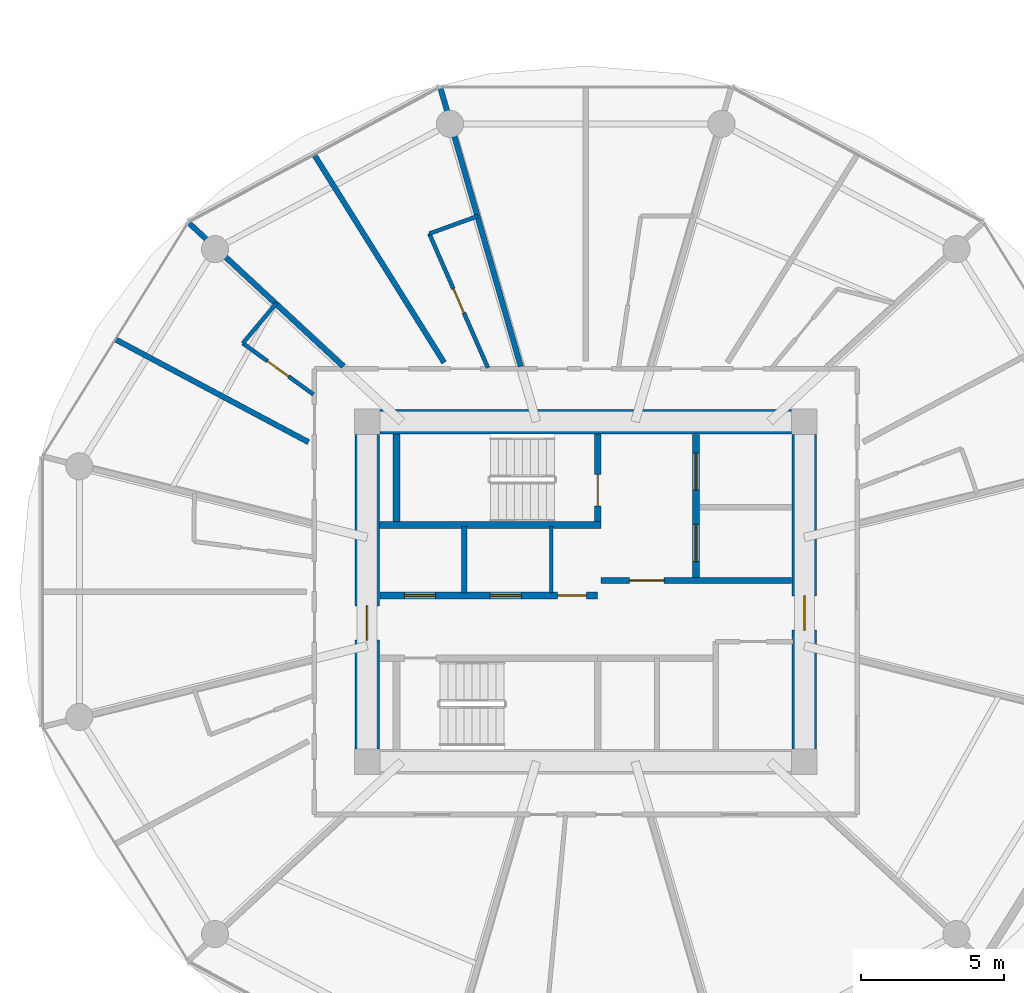
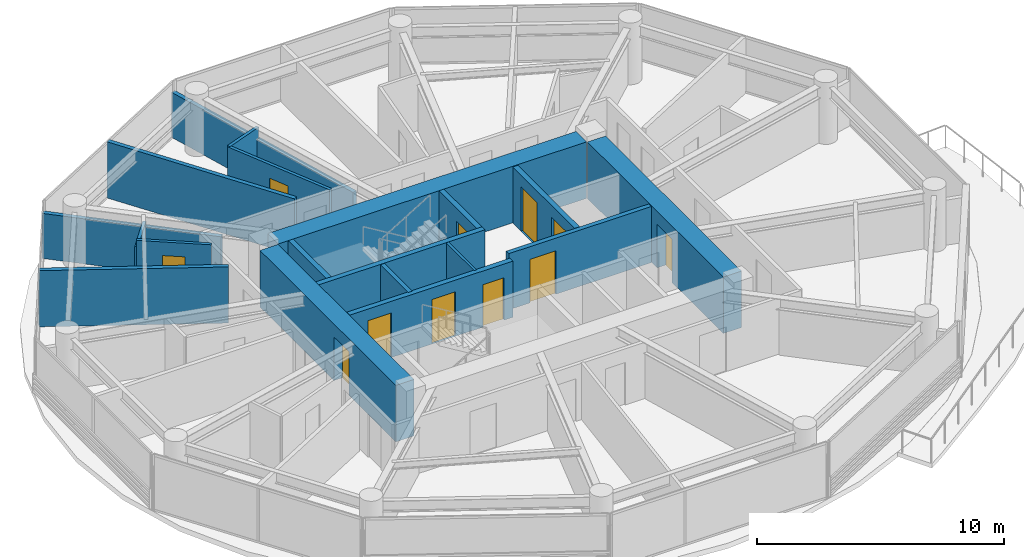
# One storey, part 16 of 26: 19 walls, 11 doors, 11 openings.
"""IFC4 building model written with IfcOpenShell, lengths in metres."""

from ifc_helpers import new_model, si_unit, direction, frame, frame_2d, origin, place, context, subcontext, project, spatial, rectangle, extrude, source, transform, mapped, material, layer, layer_set, type_object, type_shapes, element, fill, save


model = new_model("IFC4")

# Units and contexts
model_context = context("Model", 3, precision=1e-05, world=origin(), true_north=direction((0.0, 1.0)))
body_context = subcontext(model_context, "Body", "Model", "MODEL_VIEW")
ifc_project = project(units=[si_unit("LENGTHUNIT", "METRE"), si_unit("AREAUNIT", "SQUARE_METRE"), si_unit("VOLUMEUNIT", "CUBIC_METRE"), si_unit("PLANEANGLEUNIT", "RADIAN"), si_unit("MASSUNIT", "GRAM", prefix="KILO")], contexts=[model_context])

# Site, building, storey
site_placement = place(None, origin())
site = spatial("IfcSite", under=ifc_project, at=site_placement, CompositionType="ELEMENT")
building_placement = place(site_placement, origin())
building = spatial("IfcBuilding", under=site, at=building_placement, Name="Norrkilde Senior Care Towers", CompositionType="ELEMENT")
storey_placement = place(building_placement, frame((0.0, 0.0, 64.300048828125)))
storey = spatial("IfcBuildingStorey", under=building, at=storey_placement, Name="L19", CompositionType="ELEMENT", Elevation=64.300048828125)

# Wall
ifc_material_1 = material(Name="Concrete C60/75", Category="concrete")
ifc_layer_1 = layer(ifc_material_1, 0.85009765625)
ifc_layer_set_1 = layer_set([ifc_layer_1], Name="Concrete C60/75")
wall_type_1 = type_object("IfcWallType", Name="Core Shear Wall Z1 850", PredefinedType="SHEAR", material=ifc_layer_set_1)
shared_shape_1 = source(origin(), body_context, "Body", "SweptSolid", [
    extrude(rectangle(XDim=14.39990234375, YDim=0.85009765625, at=frame_2d((7.199951171875, 0.0))), origin(), (0.0, 0.0, 1.0), 2.7900390625),
])
wall_1_placement = place(storey_placement, frame((-35.199951171875, 5.949951171875, 0.0), z_axis=(0.0, 0.0, 1.0), x_axis=(1.0, 0.0, 0.0)))
element("IfcWall", 1, at=wall_1_placement, inside=storey, type_object=wall_type_1, Name="L19 Core W North Shear Wall", PredefinedType="SHEAR", context=body_context, shape_type="MappedRepresentation", body=[
    mapped(shared_shape_1, transform((0.0, 0.0, 0.0), x_axis=(1.0, 0.0, 0.0), y_axis=(0.0, 1.0, 0.0), z_axis=(0.0, 0.0, 1.0), scale=1.0)),
])

# Wall, opening, door
shared_shape_2 = source(origin(), body_context, "Body", "SweptSolid", [
    extrude(rectangle(XDim=11.0, YDim=0.85009765625, at=frame_2d((5.5, 0.0))), origin(), (0.0, 0.0, 1.0), 2.7900390625),
])
type_shapes(wall_type_1, [shared_shape_1, shared_shape_2])
wall_2_placement = place(storey_placement, frame((-35.64990234375, -5.5, 0.0), z_axis=(0.0, 0.0, 1.0), x_axis=(0.0, 1.0, 0.0)))
wall_2 = element("IfcWall", 2, at=wall_2_placement, inside=storey, type_object=wall_type_1, Name="L19 Core W West Shear Wall", PredefinedType="SHEAR", context=body_context, shape_type="MappedRepresentation", body=[
    mapped(shared_shape_2, transform((0.0, 0.0, 0.0), x_axis=(1.0, 0.0, 0.0), y_axis=(0.0, 1.0, 0.0), z_axis=(0.0, 0.0, 1.0), scale=1.0)),
])
opening_1_placement = place(wall_2_placement, frame((3.800048828125, 0.0, 0.0)))
opening_1 = element("IfcOpeningElement", 3, at=opening_1_placement, cuts=wall_2, Name="Opening D-04", PredefinedType="OPENING", context=body_context, shape_type="SweptSolid", body=[
    extrude(rectangle(XDim=1.199951171875, YDim=2.14990234375, at=frame_2d((0.60009765625, 1.074951171875))), frame((0.0, 0.43505859375, 0.0), z_axis=(0.0, -1.0, 0.0), x_axis=(1.0, 0.0, 0.0)), (0.0, 0.0, 1.0), 0.8701171875),
])
ifc_material_2 = material(Name="Galvanised Painted Steel", Category="steel")
door_type_1 = type_object("IfcDoorType", Name="Firefighting Lobby Fire Door 1200x2150", OperationType="NOTDEFINED", PredefinedType="DOOR", material=ifc_material_2)
shared_shape_3 = source(origin(), body_context, "Body", "SweptSolid", [
    extrude(rectangle(XDim=1.199951171875, YDim=2.14990234375, at=frame_2d((0.60009765625, 1.074951171875))), frame((0.0, 0.02490234375, 0.0), z_axis=(0.0, -1.0, 0.0), x_axis=(1.0, 0.0, 0.0)), (0.0, 0.0, 1.0), 0.050048828125),
])
type_shapes(door_type_1, [shared_shape_3])
door_1_placement = place(opening_1_placement, frame((1.199951171875, 0.0, 0.0), z_axis=(0.0, 0.0, 1.0), x_axis=(-1.0, 0.0, 0.0)))
door_1 = element("IfcDoor", 4, at=door_1_placement, inside=storey, type_object=door_type_1, Name="L19 Core W West Portal Door", OperationType="SINGLE_SWING_LEFT", OverallHeight=2.14990234375, OverallWidth=1.199951171875, PredefinedType="DOOR", context=body_context, shape_type="MappedRepresentation", body=[
    mapped(shared_shape_3, transform((0.0, 0.0, 0.0), x_axis=(1.0, 0.0, 0.0), y_axis=(0.0, 1.0, 0.0), z_axis=(0.0, 0.0, 1.0), scale=1.0)),
])
fill(opening_1, door_1)

wall_3_placement = place(storey_placement, frame((-20.35009765625, 5.5, 0.0), z_axis=(0.0, 0.0, 1.0), x_axis=(0.0, -1.0, 0.0)))
wall_3 = element("IfcWall", 5, at=wall_3_placement, inside=storey, type_object=wall_type_1, Name="L19 Core W East Shear Wall", PredefinedType="SHEAR", context=body_context, shape_type="MappedRepresentation", body=[
    mapped(shared_shape_2, transform((0.0, 0.0, 0.0), x_axis=(1.0, 0.0, 0.0), y_axis=(0.0, 1.0, 0.0), z_axis=(0.0, 0.0, 1.0), scale=1.0)),
])
opening_2_placement = place(wall_3_placement, frame((5.64990234375, 0.0, 0.0)))
opening_2 = element("IfcOpeningElement", 6, at=opening_2_placement, cuts=wall_3, Name="Opening D-04", PredefinedType="OPENING", context=body_context, shape_type="SweptSolid", body=[
    extrude(rectangle(XDim=1.199951171875, YDim=2.14990234375, at=frame_2d((0.60009765625, 1.074951171875))), frame((0.0, 0.43505859375, 0.0), z_axis=(0.0, -1.0, 0.0), x_axis=(1.0, 0.0, 0.0)), (0.0, 0.0, 1.0), 0.8701171875),
])
door_2_placement = place(opening_2_placement, frame((1.199951171875, 0.0, 0.0), z_axis=(0.0, 0.0, 1.0), x_axis=(-1.0, 0.0, 0.0)))
door_2 = element("IfcDoor", 7, at=door_2_placement, inside=storey, type_object=door_type_1, Name="L19 Core W East Portal Door", OperationType="SINGLE_SWING_RIGHT", OverallHeight=2.14990234375, OverallWidth=1.199951171875, PredefinedType="DOOR", context=body_context, shape_type="MappedRepresentation", body=[
    mapped(shared_shape_3, transform((0.0, 0.0, 0.0), x_axis=(1.0, 0.0, 0.0), y_axis=(0.0, 1.0, 0.0), z_axis=(0.0, 0.0, 1.0), scale=1.0)),
])
fill(opening_2, door_2)

# Wall, openings, doors
ifc_material_3 = material(Name="Concrete C45/55", Category="concrete")
ifc_layer_2 = layer(ifc_material_3, 0.239990234375)
ifc_layer_set_2 = layer_set([ifc_layer_2], Name="Concrete C45/55")
wall_type_2 = type_object("IfcWallType", Name="Lift and Plant Rated Enclosure Partition 240", PredefinedType="PARTITIONING", material=ifc_layer_set_2)
shared_shape_4 = source(origin(), body_context, "Body", "SweptSolid", [
    extrude(rectangle(XDim=5.0, YDim=0.239990234375, at=frame_2d((2.5, 0.0))), origin(), (0.0, 0.0, 1.0), 2.77490234375),
])
wall_4_placement = place(storey_placement, frame((-24.139892578125, 0.5, 0.0), z_axis=(0.0, 0.0, 1.0), x_axis=(0.0, 1.0, 0.0)))
wall_4 = element("IfcWall", 8, at=wall_4_placement, inside=storey, type_object=wall_type_2, Name="WL-INT-L19-W-FFLE", PredefinedType="PARTITIONING", context=body_context, shape_type="MappedRepresentation", body=[
    mapped(shared_shape_4, transform((0.0, 0.0, 0.0), x_axis=(1.0, 0.0, 0.0), y_axis=(0.0, 1.0, 0.0), z_axis=(0.0, 0.0, 1.0), scale=1.0)),
])
opening_3_placement = place(wall_4_placement, frame((3.050048828125, 0.0, 0.0)))
opening_3 = element("IfcOpeningElement", 9, at=opening_3_placement, cuts=wall_4, Name="Opening LD-02", PredefinedType="OPENING", context=body_context, shape_type="SweptSolid", body=[
    extrude(rectangle(XDim=1.300048828125, YDim=2.199951171875, at=frame_2d((0.64990234375, 1.10009765625))), frame((0.0, 0.1298828125, 0.0), z_axis=(0.0, -1.0, 0.0), x_axis=(1.0, 0.0, 0.0)), (0.0, 0.0, 1.0), 0.260009765625),
])
opening_4_placement = place(wall_4_placement, frame((0.550048828125, 0.0, 0.0)))
opening_4 = element("IfcOpeningElement", 10, at=opening_4_placement, cuts=wall_4, Name="Opening LD-02", PredefinedType="OPENING", context=body_context, shape_type="SweptSolid", body=[
    extrude(rectangle(XDim=1.300048828125, YDim=2.199951171875, at=frame_2d((0.64990234375, 1.10009765625))), frame((0.0, 0.1298828125, 0.0), z_axis=(0.0, -1.0, 0.0), x_axis=(1.0, 0.0, 0.0)), (0.0, 0.0, 1.0), 0.260009765625),
])
ifc_material_4 = material(Name="Stainless Steel", Category="steel")
door_type_2 = type_object("IfcDoorType", Name="Stretcher and FFL Landing Sliding Door 1300x2200", OperationType="NOTDEFINED", PredefinedType="DOOR", material=ifc_material_4)
shared_shape_5 = source(origin(), body_context, "Body", "SweptSolid", [
    extrude(rectangle(XDim=1.300048828125, YDim=2.199951171875, at=frame_2d((0.64990234375, 1.10009765625))), frame((0.0, 0.02490234375, 0.0), z_axis=(0.0, -1.0, 0.0), x_axis=(1.0, 0.0, 0.0)), (0.0, 0.0, 1.0), 0.050048828125),
])
type_shapes(door_type_2, [shared_shape_5])
door_3_placement = place(opening_3_placement, origin())
door_3 = element("IfcDoor", 11, at=door_3_placement, inside=storey, type_object=door_type_2, Name="L19 Firefighting Lift W1 Landing Door", OperationType="SLIDING_TO_LEFT", OverallHeight=2.199951171875, OverallWidth=1.300048828125, PredefinedType="DOOR", context=body_context, shape_type="MappedRepresentation", body=[
    mapped(shared_shape_5, transform((0.0, 0.0, 0.0), x_axis=(1.0, 0.0, 0.0), y_axis=(0.0, 1.0, 0.0), z_axis=(0.0, 0.0, 1.0), scale=1.0)),
])
fill(opening_3, door_3)
door_4_placement = place(opening_4_placement, origin())
door_4 = element("IfcDoor", 12, at=door_4_placement, inside=storey, type_object=door_type_2, Name="L19 Stretcher Lift W1 Landing Door", OperationType="SLIDING_TO_RIGHT", OverallHeight=2.199951171875, OverallWidth=1.300048828125, PredefinedType="DOOR", context=body_context, shape_type="MappedRepresentation", body=[
    mapped(shared_shape_5, transform((0.0, 0.0, 0.0), x_axis=(1.0, 0.0, 0.0), y_axis=(0.0, 1.0, 0.0), z_axis=(0.0, 0.0, 1.0), scale=1.0)),
])
fill(opening_4, door_4)

# Wall, opening, door
ifc_layer_3 = layer(ifc_material_3, 0.2099609375)
ifc_layer_set_3 = layer_set([ifc_layer_3], Name="Concrete C45/55")
wall_type_3 = type_object("IfcWallType", Name="Firefighting Lobby Wall 210", PredefinedType="PARTITIONING", material=ifc_layer_set_3)
shared_shape_6 = source(origin(), body_context, "Body", "SweptSolid", [
    extrude(rectangle(XDim=6.659912109375, YDim=0.2099609375, at=frame_2d((3.330078125, 0.0))), origin(), (0.0, 0.0, 1.0), 2.77490234375),
])
type_shapes(wall_type_3, [shared_shape_6])
wall_5_placement = place(storey_placement, frame((-27.4599609375, 0.389892578125, 0.0), z_axis=(0.0, 0.0, 1.0), x_axis=(1.0, 0.0, 0.0)))
wall_5 = element("IfcWall", 13, at=wall_5_placement, inside=storey, type_object=wall_type_3, Name="WL-INT-L19-W-FFLS", PredefinedType="PARTITIONING", context=body_context, shape_type="MappedRepresentation", body=[
    mapped(shared_shape_6, transform((0.0, 0.0, 0.0), x_axis=(1.0, 0.0, 0.0), y_axis=(0.0, 1.0, 0.0), z_axis=(0.0, 0.0, 1.0), scale=1.0)),
])
opening_5_placement = place(wall_5_placement, frame((1.0, 0.0, 0.0)))
opening_5 = element("IfcOpeningElement", 14, at=opening_5_placement, cuts=wall_5, Name="Opening D-04", PredefinedType="OPENING", context=body_context, shape_type="SweptSolid", body=[
    extrude(rectangle(XDim=1.199951171875, YDim=2.14990234375, at=frame_2d((0.60009765625, 1.074951171875))), frame((0.0, 0.114990234375, 0.0), z_axis=(0.0, -1.0, 0.0), x_axis=(1.0, 0.0, 0.0)), (0.0, 0.0, 1.0), 0.22998046875),
])
door_5_placement = place(opening_5_placement, frame((1.199951171875, 0.0, 0.0), z_axis=(0.0, 0.0, 1.0), x_axis=(-1.0, 0.0, 0.0)))
door_5 = element("IfcDoor", 15, at=door_5_placement, inside=storey, type_object=door_type_1, Name="L19 Firefighting Lobby W Door", OperationType="SINGLE_SWING_LEFT", OverallHeight=2.14990234375, OverallWidth=1.199951171875, PredefinedType="DOOR", context=body_context, shape_type="MappedRepresentation", body=[
    mapped(shared_shape_3, transform((0.0, 0.0, 0.0), x_axis=(1.0, 0.0, 0.0), y_axis=(0.0, 1.0, 0.0), z_axis=(0.0, 0.0, 1.0), scale=1.0)),
])
fill(opening_5, door_5)

# Wall, openings, doors
shared_shape_7 = source(origin(), body_context, "Body", "SweptSolid", [
    extrude(rectangle(XDim=7.619873046875, YDim=0.239990234375, at=frame_2d((3.81005859375, 0.0))), origin(), (0.0, 0.0, 1.0), 2.77490234375),
])
type_shapes(wall_type_2, [shared_shape_4, shared_shape_7])
wall_6_placement = place(storey_placement, frame((-35.199951171875, -0.1298828125, 0.0), z_axis=(0.0, 0.0, 1.0), x_axis=(1.0, 0.0, 0.0)))
wall_6 = element("IfcWall", 16, at=wall_6_placement, inside=storey, type_object=wall_type_2, Name="WL-INT-L19-W-PKAS", PredefinedType="PARTITIONING", context=body_context, shape_type="MappedRepresentation", body=[
    mapped(shared_shape_7, transform((0.0, 0.0, 0.0), x_axis=(1.0, 0.0, 0.0), y_axis=(0.0, 1.0, 0.0), z_axis=(0.0, 0.0, 1.0), scale=1.0)),
])
opening_6_placement = place(wall_6_placement, frame((6.219970703125, 0.0, 0.0)))
opening_6 = element("IfcOpeningElement", 17, at=opening_6_placement, cuts=wall_6, Name="Opening D-10", PredefinedType="OPENING", context=body_context, shape_type="SweptSolid", body=[
    extrude(rectangle(XDim=1.0, YDim=2.10009765625, at=frame_2d((0.5, 1.050048828125))), frame((0.0, 0.1298828125, 0.0), z_axis=(0.0, -1.0, 0.0), x_axis=(1.0, 0.0, 0.0)), (0.0, 0.0, 1.0), 0.260009765625),
])
opening_7_placement = place(wall_6_placement, frame((0.85009765625, 0.0, 0.0)))
opening_7 = element("IfcOpeningElement", 18, at=opening_7_placement, cuts=wall_6, Name="Opening LD-01", PredefinedType="OPENING", context=body_context, shape_type="SweptSolid", body=[
    extrude(rectangle(XDim=1.10009765625, YDim=2.199951171875, at=frame_2d((0.550048828125, 1.10009765625))), frame((0.0, 0.1298828125, 0.0), z_axis=(0.0, -1.0, 0.0), x_axis=(1.0, 0.0, 0.0)), (0.0, 0.0, 1.0), 0.260009765625),
])
opening_8_placement = place(wall_6_placement, frame((3.85009765625, 0.0, 0.0)))
opening_8 = element("IfcOpeningElement", 19, at=opening_8_placement, cuts=wall_6, Name="Opening LD-01", PredefinedType="OPENING", context=body_context, shape_type="SweptSolid", body=[
    extrude(rectangle(XDim=1.10009765625, YDim=2.199951171875, at=frame_2d((0.550048828125, 1.10009765625))), frame((0.0, 0.1298828125, 0.0), z_axis=(0.0, -1.0, 0.0), x_axis=(1.0, 0.0, 0.0)), (0.0, 0.0, 1.0), 0.260009765625),
])
door_type_3 = type_object("IfcDoorType", Name="Plant and Riser Rated Door 1000x2100", OperationType="NOTDEFINED", PredefinedType="DOOR", material=ifc_material_2)
shared_shape_8 = source(origin(), body_context, "Body", "SweptSolid", [
    extrude(rectangle(XDim=1.0, YDim=2.10009765625, at=frame_2d((0.5, 1.050048828125))), frame((0.0, 0.02490234375, 0.0), z_axis=(0.0, -1.0, 0.0), x_axis=(1.0, 0.0, 0.0)), (0.0, 0.0, 1.0), 0.050048828125),
])
type_shapes(door_type_3, [shared_shape_8])
door_6_placement = place(opening_6_placement, frame((1.0, 0.0, 0.0), z_axis=(0.0, 0.0, 1.0), x_axis=(-1.0, 0.0, 0.0)))
door_6 = element("IfcDoor", 20, at=door_6_placement, inside=storey, type_object=door_type_3, Name="L19 Electrical Riser W Door", OperationType="SINGLE_SWING_LEFT", OverallHeight=2.10009765625, OverallWidth=1.0, PredefinedType="DOOR", context=body_context, shape_type="MappedRepresentation", body=[
    mapped(shared_shape_8, transform((0.0, 0.0, 0.0), x_axis=(1.0, 0.0, 0.0), y_axis=(0.0, 1.0, 0.0), z_axis=(0.0, 0.0, 1.0), scale=1.0)),
])
fill(opening_6, door_6)
door_type_4 = type_object("IfcDoorType", Name="Lift Landing Sliding Door 1100x2200", OperationType="NOTDEFINED", PredefinedType="DOOR", material=ifc_material_4)
shared_shape_9 = source(origin(), body_context, "Body", "SweptSolid", [
    extrude(rectangle(XDim=1.10009765625, YDim=2.199951171875, at=frame_2d((0.550048828125, 1.10009765625))), frame((0.0, 0.02490234375, 0.0), z_axis=(0.0, -1.0, 0.0), x_axis=(1.0, 0.0, 0.0)), (0.0, 0.0, 1.0), 0.050048828125),
])
type_shapes(door_type_4, [shared_shape_9])
door_7_placement = place(opening_7_placement, origin())
door_7 = element("IfcDoor", 21, at=door_7_placement, inside=storey, type_object=door_type_4, Name="L19 Passenger Lift W1 Landing Door", OperationType="SLIDING_TO_LEFT", OverallHeight=2.199951171875, OverallWidth=1.10009765625, PredefinedType="DOOR", context=body_context, shape_type="MappedRepresentation", body=[
    mapped(shared_shape_9, transform((0.0, 0.0, 0.0), x_axis=(1.0, 0.0, 0.0), y_axis=(0.0, 1.0, 0.0), z_axis=(0.0, 0.0, 1.0), scale=1.0)),
])
fill(opening_7, door_7)
door_8_placement = place(opening_8_placement, origin())
door_8 = element("IfcDoor", 22, at=door_8_placement, inside=storey, type_object=door_type_4, Name="L19 Passenger Lift W2 Landing Door", OperationType="SLIDING_TO_RIGHT", OverallHeight=2.199951171875, OverallWidth=1.10009765625, PredefinedType="DOOR", context=body_context, shape_type="MappedRepresentation", body=[
    mapped(shared_shape_9, transform((0.0, 0.0, 0.0), x_axis=(1.0, 0.0, 0.0), y_axis=(0.0, 1.0, 0.0), z_axis=(0.0, 0.0, 1.0), scale=1.0)),
])
fill(opening_8, door_8)

# Walls
ifc_material_5 = material(Name="Gypsum Acoustic Board")
ifc_layer_4 = layer(ifc_material_5, 0.114990234375)
ifc_layer_set_4 = layer_set([ifc_layer_4], Name="Gypsum Acoustic Board")
wall_type_4 = type_object("IfcWallType", Name="Internal Room Partition 115", PredefinedType="PARTITIONING", material=ifc_layer_set_4)
shared_shape_10 = source(origin(), body_context, "Body", "SweptSolid", [
    extrude(rectangle(XDim=2.330078125, YDim=0.114990234375, at=frame_2d((1.1650390625, 0.0))), origin(), (0.0, 0.0, 1.0), 2.77490234375),
])
type_shapes(wall_type_4, [shared_shape_10])
wall_7_placement = place(storey_placement, frame((-29.2099609375, -0.050048828125, 0.0), z_axis=(0.0, 0.0, 1.0), x_axis=(0.0, 1.0, 0.0)))
element("IfcWall", 23, at=wall_7_placement, inside=storey, type_object=wall_type_4, Name="WL-INT-L19-W-RISW", PredefinedType="PARTITIONING", context=body_context, shape_type="MappedRepresentation", body=[
    mapped(shared_shape_10, transform((0.0, 0.0, 0.0), x_axis=(1.0, 0.0, 0.0), y_axis=(0.0, 1.0, 0.0), z_axis=(0.0, 0.0, 1.0), scale=1.0)),
])
ifc_layer_5 = layer(ifc_material_3, 0.199951171875)
ifc_layer_set_5 = layer_set([ifc_layer_5], Name="Concrete C45/55")
wall_type_5 = type_object("IfcWallType", Name="Shaft Division and Plant Partition 200", PredefinedType="PARTITIONING", material=ifc_layer_set_5)
shared_shape_11 = source(origin(), body_context, "Body", "SweptSolid", [
    extrude(rectangle(XDim=2.330078125, YDim=0.199951171875, at=frame_2d((1.1650390625, 0.0))), origin(), (0.0, 0.0, 1.0), 2.77490234375),
])
type_shapes(wall_type_5, [shared_shape_11])
wall_8_placement = place(storey_placement, frame((-32.25, -0.050048828125, 0.0), z_axis=(0.0, 0.0, 1.0), x_axis=(0.0, 1.0, 0.0)))
element("IfcWall", 24, at=wall_8_placement, inside=storey, type_object=wall_type_5, Name="WL-INT-L19-W-PL12", PredefinedType="PARTITIONING", context=body_context, shape_type="MappedRepresentation", body=[
    mapped(shared_shape_11, transform((0.0, 0.0, 0.0), x_axis=(1.0, 0.0, 0.0), y_axis=(0.0, 1.0, 0.0), z_axis=(0.0, 0.0, 1.0), scale=1.0)),
])
ifc_layer_6 = layer(ifc_material_5, 0.18994140625)
ifc_layer_set_6 = layer_set([ifc_layer_6], Name="Gypsum Acoustic Board")
wall_type_6 = type_object("IfcWallType", Name="Unit Demising Acoustic Wall 190", PredefinedType="PARTITIONING", material=ifc_layer_set_6)
shared_shape_12 = source(origin(), body_context, "Body", "SweptSolid", [
    extrude(rectangle(XDim=7.4345703125, YDim=0.18994140625, at=frame_2d((3.71728515625, 0.0))), origin(), (0.0, 0.0, 1.0), 2.224853515625),
])
wall_9_placement = place(storey_placement, frame((-36.48291015625, 7.8798828125, 0.0), z_axis=(0.0, 0.0, 1.0), x_axis=(-0.732651956848, 0.680603489652, 0.0)))
element("IfcWall", 25, at=wall_9_placement, inside=storey, type_object=wall_type_6, Name="WL-INT-L19-W-DEM-04-0", PredefinedType="PARTITIONING", context=body_context, shape_type="MappedRepresentation", body=[
    mapped(shared_shape_12, transform((0.0, 0.0, 0.0), x_axis=(1.0, 0.0, 0.0), y_axis=(0.0, 1.0, 0.0), z_axis=(0.0, 0.0, 1.0), scale=1.0)),
])
shared_shape_13 = source(origin(), body_context, "Body", "SweptSolid", [
    extrude(rectangle(XDim=10.196044921875, YDim=0.18994140625, at=frame_2d((5.09814453125, 0.0))), origin(), (0.0, 0.0, 1.0), 2.224853515625),
])
wall_10_placement = place(storey_placement, frame((-30.27294921875, 7.8798828125, 0.0), z_axis=(0.0, 0.0, 1.0), x_axis=(-0.277136420347, 0.960830580549, 0.0)))
element("IfcWall", 26, at=wall_10_placement, inside=storey, type_object=wall_type_6, Name="WL-INT-L19-W-DEM-03-0", PredefinedType="PARTITIONING", context=body_context, shape_type="MappedRepresentation", body=[
    mapped(shared_shape_13, transform((0.0, 0.0, 0.0), x_axis=(1.0, 0.0, 0.0), y_axis=(0.0, 1.0, 0.0), z_axis=(0.0, 0.0, 1.0), scale=1.0)),
])
shared_shape_14 = source(origin(), body_context, "Body", "SweptSolid", [
    extrude(rectangle(XDim=8.59814453125, YDim=0.18994140625, at=frame_2d((4.299072265625, 0.0))), origin(), (0.0, 0.0, 1.0), 2.77490234375),
])
wall_11_placement = place(storey_placement, frame((-32.95703125, 8.017333984375, 0.0), z_axis=(0.0, 0.0, 1.0), x_axis=(-0.530039776395, 0.847972779893, 0.0)))
element("IfcWall", 27, at=wall_11_placement, inside=storey, type_object=wall_type_6, Name="WL-INT-L19-W-CMID-03", PredefinedType="PARTITIONING", context=body_context, shape_type="MappedRepresentation", body=[
    mapped(shared_shape_14, transform((0.0, 0.0, 0.0), x_axis=(1.0, 0.0, 0.0), y_axis=(0.0, 1.0, 0.0), z_axis=(0.0, 0.0, 1.0), scale=1.0)),
])
shared_shape_15 = source(origin(), body_context, "Body", "SweptSolid", [
    extrude(rectangle(XDim=7.6767578125, YDim=0.18994140625, at=frame_2d((3.83837890625, 0.0))), origin(), (0.0, 0.0, 1.0), 2.77490234375),
])
type_shapes(wall_type_6, [shared_shape_12, shared_shape_13, shared_shape_14, shared_shape_15])
wall_12_placement = place(storey_placement, frame((-37.703125, 5.23095703125, 0.0), z_axis=(0.0, 0.0, 1.0), x_axis=(-0.882725057546, 0.469889851753, 0.0)))
element("IfcWall", 28, at=wall_12_placement, inside=storey, type_object=wall_type_6, Name="WL-INT-L19-W-CMID-04", PredefinedType="PARTITIONING", context=body_context, shape_type="MappedRepresentation", body=[
    mapped(shared_shape_15, transform((0.0, 0.0, 0.0), x_axis=(1.0, 0.0, 0.0), y_axis=(0.0, 1.0, 0.0), z_axis=(0.0, 0.0, 1.0), scale=1.0)),
])
ifc_layer_7 = layer(ifc_material_3, 0.239990234375)
ifc_layer_set_7 = layer_set([ifc_layer_7], Name="Concrete C45/55")
wall_type_7 = type_object("IfcWallType", Name="Shaft and Stair Enclosure Wall 240", PredefinedType="PARTITIONING", material=ifc_layer_set_7)
shared_shape_16 = source(origin(), body_context, "Body", "SweptSolid", [
    extrude(rectangle(XDim=7.76513671875, YDim=0.239990234375, at=frame_2d((3.882568359375, 0.0))), origin(), (0.0, 0.0, 1.0), 2.7900390625),
])
wall_13_placement = place(storey_placement, frame((-35.22509765625, 2.330078125, 0.0), z_axis=(0.0, 0.0, 1.0), x_axis=(1.0, 0.0, 0.0)))
element("IfcWall", 29, at=wall_13_placement, inside=storey, type_object=wall_type_7, Name="WL-INT-L19-W-ST1S", PredefinedType="PARTITIONING", context=body_context, shape_type="MappedRepresentation", body=[
    mapped(shared_shape_16, transform((0.0, 0.0, 0.0), x_axis=(1.0, 0.0, 0.0), y_axis=(0.0, 1.0, 0.0), z_axis=(0.0, 0.0, 1.0), scale=1.0)),
])
shared_shape_17 = source(origin(), body_context, "Body", "SweptSolid", [
    extrude(rectangle(XDim=3.074951171875, YDim=0.239990234375, at=frame_2d((1.53759765625, 0.0))), origin(), (0.0, 0.0, 1.0), 2.7900390625),
])
type_shapes(wall_type_7, [shared_shape_16, shared_shape_17])
wall_14_placement = place(storey_placement, frame((-34.6201171875, 2.449951171875, 0.0), z_axis=(0.0, 0.0, 1.0), x_axis=(0.0, 1.0, 0.0)))
element("IfcWall", 30, at=wall_14_placement, inside=storey, type_object=wall_type_7, Name="WL-INT-L19-W-ST1W", PredefinedType="PARTITIONING", context=body_context, shape_type="MappedRepresentation", body=[
    mapped(shared_shape_17, transform((0.0, 0.0, 0.0), x_axis=(1.0, 0.0, 0.0), y_axis=(0.0, 1.0, 0.0), z_axis=(0.0, 0.0, 1.0), scale=1.0)),
])

# Wall, opening, door
wall_15_placement = place(storey_placement, frame((-27.580078125, 2.449951171875, 0.0), z_axis=(0.0, 0.0, 1.0), x_axis=(0.0, 1.0, 0.0)))
wall_15 = element("IfcWall", 31, at=wall_15_placement, inside=storey, type_object=wall_type_7, Name="WL-INT-L19-W-ST1E", PredefinedType="PARTITIONING", context=body_context, shape_type="MappedRepresentation", body=[
    mapped(shared_shape_17, transform((0.0, 0.0, 0.0), x_axis=(1.0, 0.0, 0.0), y_axis=(0.0, 1.0, 0.0), z_axis=(0.0, 0.0, 1.0), scale=1.0)),
])
opening_9_placement = place(wall_15_placement, frame((0.550048828125, 0.0, 0.0)))
opening_9 = element("IfcOpeningElement", 32, at=opening_9_placement, cuts=wall_15, Name="Opening D-03", PredefinedType="OPENING", context=body_context, shape_type="SweptSolid", body=[
    extrude(rectangle(XDim=1.10009765625, YDim=2.14990234375, at=frame_2d((0.550048828125, 1.074951171875))), frame((0.0, 0.1298828125, 0.0), z_axis=(0.0, -1.0, 0.0), x_axis=(1.0, 0.0, 0.0)), (0.0, 0.0, 1.0), 0.260009765625),
])
door_type_5 = type_object("IfcDoorType", Name="Stairwell Protected Fire Door 1100x2150", OperationType="NOTDEFINED", PredefinedType="DOOR", material=ifc_material_2)
shared_shape_18 = source(origin(), body_context, "Body", "SweptSolid", [
    extrude(rectangle(XDim=1.10009765625, YDim=2.14990234375, at=frame_2d((0.550048828125, 1.074951171875))), frame((0.0, 0.02490234375, 0.0), z_axis=(0.0, -1.0, 0.0), x_axis=(1.0, 0.0, 0.0)), (0.0, 0.0, 1.0), 0.050048828125),
])
type_shapes(door_type_5, [shared_shape_18])
door_9_placement = place(opening_9_placement, origin())
door_9 = element("IfcDoor", 33, at=door_9_placement, inside=storey, type_object=door_type_5, Name="L19 Stair W1 Fire Door", OperationType="SINGLE_SWING_LEFT", OverallHeight=2.14990234375, OverallWidth=1.10009765625, PredefinedType="DOOR", context=body_context, shape_type="MappedRepresentation", body=[
    mapped(shared_shape_18, transform((0.0, 0.0, 0.0), x_axis=(1.0, 0.0, 0.0), y_axis=(0.0, 1.0, 0.0), z_axis=(0.0, 0.0, 1.0), scale=1.0)),
])
fill(opening_9, door_9)

ifc_layer_8 = layer(ifc_material_5, 0.139892578125)
ifc_layer_set_8 = layer_set([ifc_layer_8], Name="Gypsum Acoustic Board")
wall_type_8 = type_object("IfcWallType", Name="En-suite Wet Room Wall 140", PredefinedType="PARTITIONING", material=ifc_layer_set_8)
shared_shape_19 = source(origin(), body_context, "Body", "SweptSolid", [
    extrude(rectangle(XDim=5.125732421875, YDim=0.139892578125, at=frame_2d((2.56298828125, 0.0))), origin(), (0.0, 0.0, 1.0), 2.77490234375),
])
wall_16_placement = place(storey_placement, frame((-31.421875, 7.830078125, 0.0), z_axis=(0.0, 0.0, 1.0), x_axis=(-0.400473994842, 0.916308124735, 0.0)))
wall_16 = element("IfcWall", 34, at=wall_16_placement, inside=storey, type_object=wall_type_8, Name="WL-INT-L19-W-ES-03A", PredefinedType="PARTITIONING", context=body_context, shape_type="MappedRepresentation", body=[
    mapped(shared_shape_19, transform((0.0, 0.0, 0.0), x_axis=(1.0, 0.0, 0.0), y_axis=(0.0, 1.0, 0.0), z_axis=(0.0, 0.0, 1.0), scale=1.0)),
])
opening_10_placement = place(wall_16_placement, frame((2.102783203125, 0.0, 0.0)))
opening_10 = element("IfcOpeningElement", 35, at=opening_10_placement, cuts=wall_16, Name="Opening D-08", PredefinedType="OPENING", context=body_context, shape_type="SweptSolid", body=[
    extrude(rectangle(XDim=0.919921875, YDim=2.10009765625, at=frame_2d((0.4599609375, 1.050048828125))), frame((0.0, 0.079833984375, 0.0), z_axis=(0.0, -1.0, 0.0), x_axis=(1.0, 0.0, 0.0)), (0.0, 0.0, 1.0), 0.159912109375),
])
ifc_material_6 = material(Name="Nordic Ash Timber", Category="wood")
door_type_6 = type_object("IfcDoorType", Name="Accessible Wet Room Door 920x2100", OperationType="NOTDEFINED", PredefinedType="DOOR", material=ifc_material_6)
shared_shape_20 = source(origin(), body_context, "Body", "SweptSolid", [
    extrude(rectangle(XDim=0.919921875, YDim=2.10009765625, at=frame_2d((0.4599609375, 1.050048828125))), frame((0.0, 0.02490234375, 0.0), z_axis=(0.0, -1.0, 0.0), x_axis=(1.0, 0.0, 0.0)), (0.0, 0.0, 1.0), 0.050048828125),
])
type_shapes(door_type_6, [shared_shape_20])
door_10_placement = place(opening_10_placement, origin())
door_10 = element("IfcDoor", 36, at=door_10_placement, inside=storey, type_object=door_type_6, Name="L19 Care Suite 1903A Bathroom Door", OperationType="SINGLE_SWING_RIGHT", OverallHeight=2.10009765625, OverallWidth=0.919921875, PredefinedType="DOOR", context=body_context, shape_type="MappedRepresentation", body=[
    mapped(shared_shape_20, transform((0.0, 0.0, 0.0), x_axis=(1.0, 0.0, 0.0), y_axis=(0.0, 1.0, 0.0), z_axis=(0.0, 0.0, 1.0), scale=1.0)),
])
fill(opening_10, door_10)

# Walls
shared_shape_21 = source(origin(), body_context, "Body", "SweptSolid", [
    extrude(rectangle(XDim=1.811279296875, YDim=0.139892578125, at=frame_2d((0.90576171875, 0.0))), origin(), (0.0, 0.0, 1.0), 2.77490234375),
])
wall_17_placement = place(storey_placement, frame((-33.474609375, 12.52685546875, 0.0), z_axis=(0.0, 0.0, 1.0), x_axis=(0.940009682452, 0.341147764021, 0.0)))
element("IfcWall", 37, at=wall_17_placement, inside=storey, type_object=wall_type_8, Name="WL-INT-L19-W-EF-03A", PredefinedType="PARTITIONING", context=body_context, shape_type="MappedRepresentation", body=[
    mapped(shared_shape_21, transform((0.0, 0.0, 0.0), x_axis=(1.0, 0.0, 0.0), y_axis=(0.0, 1.0, 0.0), z_axis=(0.0, 0.0, 1.0), scale=1.0)),
])
shared_shape_22 = source(origin(), body_context, "Body", "SweptSolid", [
    extrude(rectangle(XDim=1.840087890625, YDim=0.139892578125, at=frame_2d((0.919921875, 0.0))), origin(), (0.0, 0.0, 1.0), 2.4150390625),
])
wall_18_placement = place(storey_placement, frame((-40.00048828125, 8.692138671875, 0.0), z_axis=(0.0, 0.0, 1.0), x_axis=(0.641410397049, 0.767197955262, 0.0)))
element("IfcWall", 38, at=wall_18_placement, inside=storey, type_object=wall_type_8, Name="WL-INT-L19-W-EF-04A", PredefinedType="PARTITIONING", context=body_context, shape_type="MappedRepresentation", body=[
    mapped(shared_shape_22, transform((0.0, 0.0, 0.0), x_axis=(1.0, 0.0, 0.0), y_axis=(0.0, 1.0, 0.0), z_axis=(0.0, 0.0, 1.0), scale=1.0)),
])

# Wall, opening, door
shared_shape_23 = source(origin(), body_context, "Body", "SweptSolid", [
    extrude(rectangle(XDim=3.050537109375, YDim=0.139892578125, at=frame_2d((1.525390625, 0.0))), origin(), (0.0, 0.0, 1.0), 2.77490234375),
])
type_shapes(wall_type_8, [shared_shape_19, shared_shape_21, shared_shape_22, shared_shape_23])
wall_19_placement = place(storey_placement, frame((-37.530029296875, 6.902587890625, 0.0), z_axis=(0.0, 0.0, 1.0), x_axis=(-0.809849031404, 0.586638343729, 0.0)))
wall_19 = element("IfcWall", 39, at=wall_19_placement, inside=storey, type_object=wall_type_8, Name="WL-INT-L19-W-ES-04A", PredefinedType="PARTITIONING", context=body_context, shape_type="MappedRepresentation", body=[
    mapped(shared_shape_23, transform((0.0, 0.0, 0.0), x_axis=(1.0, 0.0, 0.0), y_axis=(0.0, 1.0, 0.0), z_axis=(0.0, 0.0, 1.0), scale=1.0)),
])
opening_11_placement = place(wall_19_placement, frame((1.065185546875, 0.0, 0.0)))
opening_11 = element("IfcOpeningElement", 40, at=opening_11_placement, cuts=wall_19, Name="Opening D-08", PredefinedType="OPENING", context=body_context, shape_type="SweptSolid", body=[
    extrude(rectangle(XDim=0.919921875, YDim=2.10009765625, at=frame_2d((0.4599609375, 1.050048828125))), frame((0.0, 0.079833984375, 0.0), z_axis=(0.0, -1.0, 0.0), x_axis=(1.0, 0.0, 0.0)), (0.0, 0.0, 1.0), 0.159912109375),
])
door_11_placement = place(opening_11_placement, origin())
door_11 = element("IfcDoor", 41, at=door_11_placement, inside=storey, type_object=door_type_6, Name="L19 Care Suite 1904A Bathroom Door", OperationType="SINGLE_SWING_LEFT", OverallHeight=2.10009765625, OverallWidth=0.919921875, PredefinedType="DOOR", context=body_context, shape_type="MappedRepresentation", body=[
    mapped(shared_shape_20, transform((0.0, 0.0, 0.0), x_axis=(1.0, 0.0, 0.0), y_axis=(0.0, 1.0, 0.0), z_axis=(0.0, 0.0, 1.0), scale=1.0)),
])
fill(opening_11, door_11)

save(model, "model.ifc")
